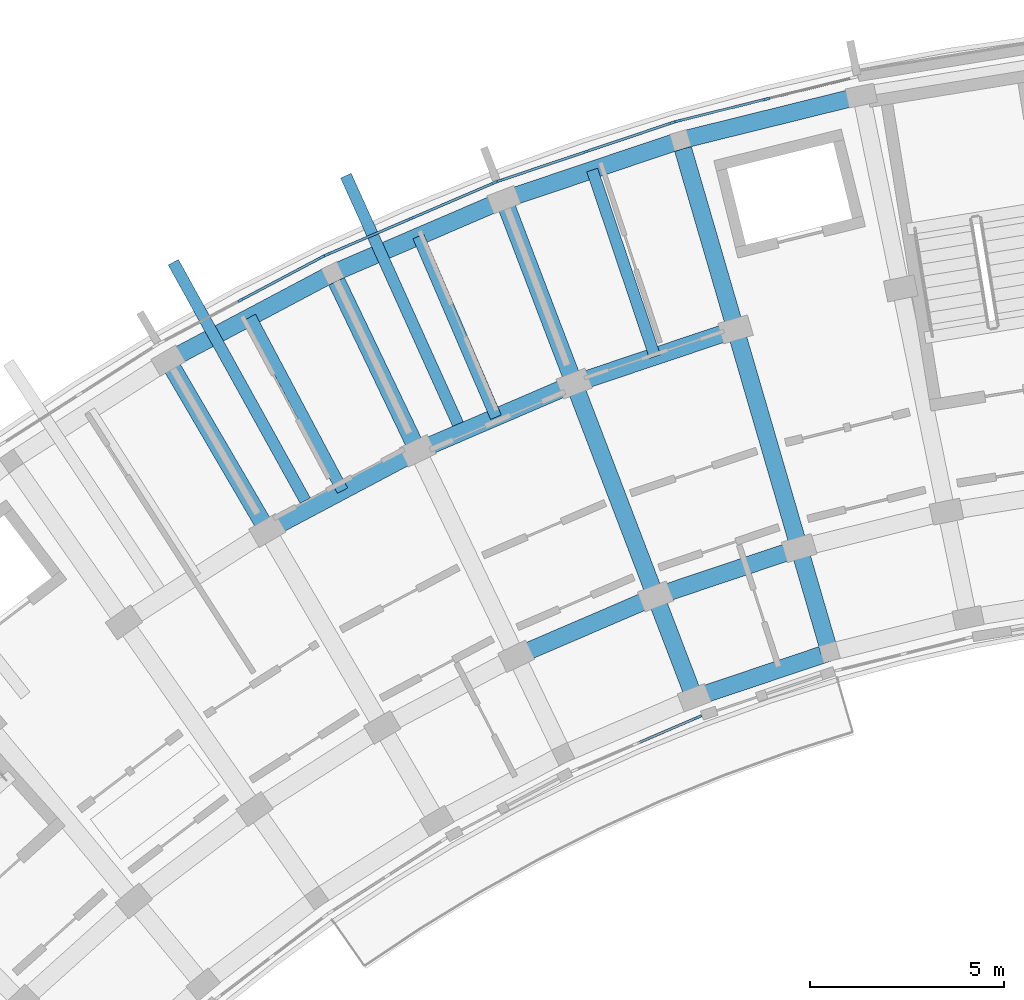
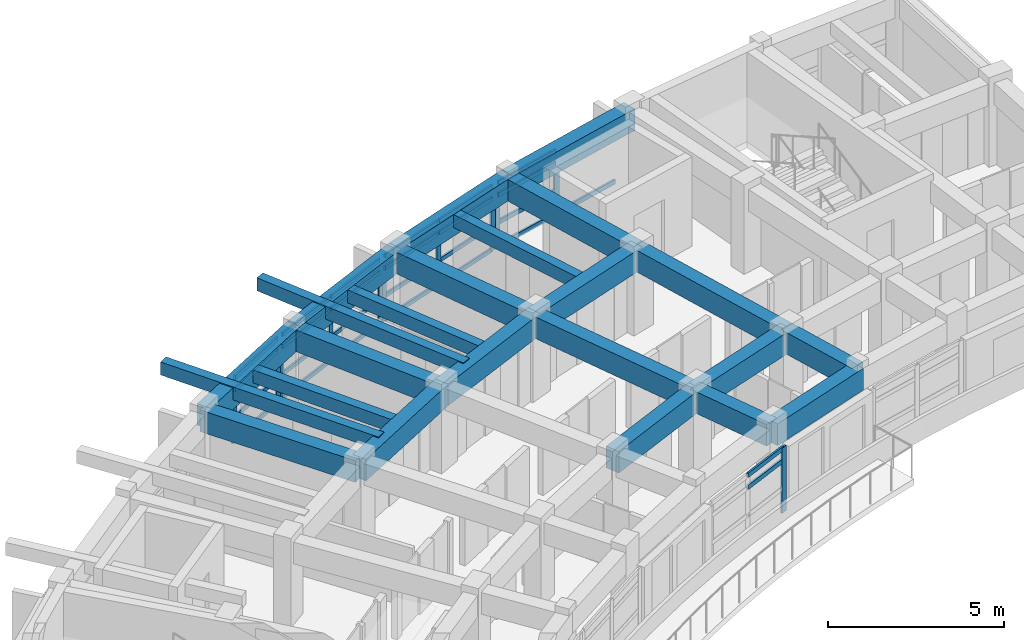
# One storey, part 5 of 56: 38 members, 23 beams, 5 elements without a shape of their own.
"""IFC4 building model written with IfcOpenShell, lengths in metres."""

from ifc_helpers import new_model, si_unit, direction, frame, origin, origin_2d, place, context, subcontext, project, spatial, rectangle, extrude, material, material_profile, profile_set, type_object, element, aggregate, save


model = new_model("IFC4")

# Units and contexts
model_context = context("Model", 3, precision=1e-05, world=origin(), true_north=direction((0.0, 1.0)))
body_context = subcontext(model_context, "Body", "Model", "MODEL_VIEW")
ifc_project = project(units=[si_unit("LENGTHUNIT", "METRE"), si_unit("AREAUNIT", "SQUARE_METRE"), si_unit("VOLUMEUNIT", "CUBIC_METRE"), si_unit("PLANEANGLEUNIT", "RADIAN"), si_unit("MASSUNIT", "GRAM", prefix="KILO")], contexts=[model_context])

# Site, building, storey
site_placement = place(None, origin())
site = spatial("IfcSite", under=ifc_project, at=site_placement, CompositionType="ELEMENT")
building_placement = place(site_placement, origin())
building = spatial("IfcBuilding", under=site, at=building_placement, Name="Zimvara Arc Housing Community", CompositionType="ELEMENT")
storey_placement = place(building_placement, frame((0.0, 0.0, 11.199951171875)))
storey = spatial("IfcBuildingStorey", under=building, at=storey_placement, Name="L03", CompositionType="ELEMENT", Elevation=11.199951171875)

# Beams
ifc_material_1 = material(Name="Concrete C40/50", Category="concrete")
ifc_material_profile_1 = material_profile(ifc_material_1, rectangle(XDim=0.300048828125, YDim=0.449951171875, at=origin_2d()), Name="RC 300x450")
ifc_profile_set_1 = profile_set([ifc_material_profile_1], Name="Concrete C40/50")
beam_type_1 = type_object("IfcBeamType", Name="BM-RC-300x450", PredefinedType="JOIST", material=ifc_profile_set_1)
beam_1_placement = place(storey_placement, frame((19.813232421875, 91.9892578125, 2.635009765625), z_axis=(-0.46853732736, 0.883443701019, 0.0), x_axis=(-0.883443701019, -0.46853732736, 0.0)))
element("IfcBeam", 1, at=beam_1_placement, inside=storey, type_object=beam_type_1, Name="bm:blkA:L03:joist:b4", PredefinedType="JOIST", context=body_context, shape_type="SweptSolid", body=[
    extrude(rectangle(XDim=0.300048828125, YDim=0.449951171875, at=origin_2d()), origin(), (0.0, 0.0, 1.0), 5.07568359375),
])
beam_2_placement = place(storey_placement, frame((23.77197265625, 93.885986328125, 2.635009765625), z_axis=(-0.394929109608, 0.918711596958, 0.0), x_axis=(-0.918711596958, -0.394929109608, 0.0)))
element("IfcBeam", 2, at=beam_2_placement, inside=storey, type_object=beam_type_1, Name="bm:blkA:L03:joist:b5", PredefinedType="JOIST", context=body_context, shape_type="SweptSolid", body=[
    extrude(rectangle(XDim=0.300048828125, YDim=0.449951171875, at=origin_2d()), origin(), (0.0, 0.0, 1.0), 5.075927734375),
])
beam_3_placement = place(storey_placement, frame((27.8720703125, 95.453369140625, 2.635009765625), z_axis=(-0.318607669836, 0.947886677152, 0.0), x_axis=(-0.947886677152, -0.318607669836, 0.0)))
element("IfcBeam", 3, at=beam_3_placement, inside=storey, type_object=beam_type_1, Name="bm:blkA:L03:joist:b6", PredefinedType="JOIST", context=body_context, shape_type="SweptSolid", body=[
    extrude(rectangle(XDim=0.300048828125, YDim=0.449951171875, at=origin_2d()), origin(), (0.0, 0.0, 1.0), 5.07568359375),
])
for number, where, z_axis, x_axis, name in (
    (4, (18.942138671875, 91.568359375, 2.6650390625), (-0.4843274379, 0.874886811477, 0.0), (-0.874886811477, -0.4843274379, 0.0), "bm:blkA:L03:cant_out:b4"),
    (5, (22.869384765625, 93.53759765625, 2.6650390625), (-0.411355676266, 0.91147490783, 0.0), (-0.91147490783, -0.411355676266, 0.0), "bm:blkA:L03:cant_out:b5"),
):
    element("IfcBeam", number, at=place(storey_placement, frame(where, z_axis=z_axis, x_axis=x_axis)), inside=storey, type_object=beam_type_1, Name=name, PredefinedType="JOIST", context=body_context, shape_type="SweptSolid", body=[
        extrude(rectangle(XDim=0.300048828125, YDim=0.449951171875, at=origin_2d()), origin(), (0.0, 0.0, 1.0), 7.219970703125),
    ])
ifc_material_2 = material(Name="Concrete C40/50", Category="concrete")
ifc_material_profile_2 = material_profile(ifc_material_2, rectangle(XDim=0.449951171875, YDim=0.75, at=origin_2d()), Name="RC 450x750")
ifc_profile_set_2 = profile_set([ifc_material_profile_2], Name="Concrete C40/50")
beam_type_2 = type_object("IfcBeamType", Name="BM-RC-450x750", PredefinedType="BEAM", material=ifc_profile_set_2)
beam_4_placement = place(storey_placement, frame((28.88916015625, 86.645751953125, 2.485107421875), z_axis=(0.94789181932, 0.31859237101, 0.0), x_axis=(-0.31859237101, 0.94789181932, 0.0)))
element("IfcBeam", 6, at=beam_4_placement, inside=storey, type_object=beam_type_2, Name="bm:blkA:L03:chord:r0:b6", PredefinedType="BEAM", context=body_context, shape_type="SweptSolid", body=[
    extrude(rectangle(XDim=0.449951171875, YDim=0.75, at=origin_2d()), origin(), (0.0, 0.0, 1.0), 3.684326171875),
])
for number, where, z_axis, x_axis, name in (
    (7, (24.29443359375, 87.7158203125, 2.485107421875), (0.91873144242, 0.394882940514, 0.0), (-0.394882940514, 0.91873144242, 0.0), "bm:blkA:L03:chord:r1:b5"),
    (8, (27.889404296875, 89.260986328125, 2.485107421875), (0.947881689069, 0.31862250945, 0.0), (-0.31862250945, 0.947881689069, 0.0), "bm:blkA:L03:chord:r1:b6"),
):
    element("IfcBeam", number, at=place(storey_placement, frame(where, z_axis=z_axis, x_axis=x_axis)), inside=storey, type_object=beam_type_2, Name=name, PredefinedType="BEAM", context=body_context, shape_type="SweptSolid", body=[
        extrude(rectangle(XDim=0.449951171875, YDim=0.75, at=origin_2d()), origin(), (0.0, 0.0, 1.0), 3.9130859375),
    ])
for number, where, z_axis, x_axis, name in (
    (9, (17.87255859375, 90.960205078125, 2.485107421875), (0.883456526058, 0.468513144496, 0.0), (-0.468513144496, 0.883456526058, 0.0), "bm:blkA:L03:chord:r2:b4"),
    (10, (21.75390625, 93.0185546875, 2.485107421875), (0.918724840088, 0.394898301093, 0.0), (-0.394898301093, 0.918724840088, 0.0), "bm:blkA:L03:chord:r2:b5"),
):
    element("IfcBeam", number, at=place(storey_placement, frame(where, z_axis=z_axis, x_axis=x_axis)), inside=storey, type_object=beam_type_2, Name=name, PredefinedType="BEAM", context=body_context, shape_type="SweptSolid", body=[
        extrude(rectangle(XDim=0.449951171875, YDim=0.75, at=origin_2d()), origin(), (0.0, 0.0, 1.0), 4.393310546875),
    ])
beam_5_placement = place(storey_placement, frame((25.7900390625, 94.75341796875, 2.485107421875), z_axis=(0.947868796036, 0.318660862832, 0.0), x_axis=(-0.318660862832, 0.947868796036, 0.0)))
element("IfcBeam", 11, at=beam_5_placement, inside=storey, type_object=beam_type_2, Name="bm:blkA:L03:chord:r2:b6", PredefinedType="BEAM", context=body_context, shape_type="SweptSolid", body=[
    extrude(rectangle(XDim=0.449951171875, YDim=0.75, at=origin_2d()), origin(), (0.0, 0.0, 1.0), 4.39306640625),
])
beam_6_placement = place(storey_placement, frame((15.311279296875, 95.34716796875, 2.485107421875), z_axis=(0.883445542299, 0.468533855546, 0.0), x_axis=(-0.468533855546, 0.883445542299, 0.0)))
element("IfcBeam", 12, at=beam_6_placement, inside=storey, type_object=beam_type_2, Name="bm:blkA:L03:chord:r3:b4", PredefinedType="BEAM", context=body_context, shape_type="SweptSolid", body=[
    extrude(rectangle(XDim=0.449951171875, YDim=0.75, at=origin_2d()), origin(), (0.0, 0.0, 1.0), 4.807861328125),
])
beam_7_placement = place(storey_placement, frame((19.558837890625, 97.599853515625, 2.485107421875), z_axis=(0.918724276228, 0.394899612901, 0.0), x_axis=(-0.394899612901, 0.918724276228, 0.0)))
element("IfcBeam", 13, at=beam_7_placement, inside=storey, type_object=beam_type_2, Name="bm:blkA:L03:chord:r3:b5", PredefinedType="BEAM", context=body_context, shape_type="SweptSolid", body=[
    extrude(rectangle(XDim=0.449951171875, YDim=0.75, at=origin_2d()), origin(), (0.0, 0.0, 1.0), 4.80810546875),
])
beam_8_placement = place(storey_placement, frame((23.97607421875, 99.49853515625, 2.485107421875), z_axis=(0.947877948153, 0.31863363822, 0.0), x_axis=(-0.31863363822, 0.947877948153, 0.0)))
element("IfcBeam", 14, at=beam_8_placement, inside=storey, type_object=beam_type_2, Name="bm:blkA:L03:chord:r3:b6", PredefinedType="BEAM", context=body_context, shape_type="SweptSolid", body=[
    extrude(rectangle(XDim=0.449951171875, YDim=0.75, at=origin_2d()), origin(), (0.0, 0.0, 1.0), 4.807861328125),
])
beam_9_placement = place(storey_placement, frame((28.533447265625, 101.030517578125, 2.485107421875), z_axis=(0.970716235341, 0.240229037474, 0.0), x_axis=(-0.240229037474, 0.970716235341, 0.0)))
element("IfcBeam", 15, at=beam_9_placement, inside=storey, type_object=beam_type_2, Name="bm:blkA:L03:chord:r3:b7", PredefinedType="BEAM", context=body_context, shape_type="SweptSolid", body=[
    extrude(rectangle(XDim=0.449951171875, YDim=0.75, at=origin_2d()), origin(), (0.0, 0.0, 1.0), 4.80810546875),
])
beam_10_placement = place(storey_placement, frame((17.87255859375, 90.960205078125, 2.485107421875), z_axis=(-0.504196701544, 0.863588840915, 0.0), x_axis=(-0.863588840915, -0.504196701544, 0.0)))
element("IfcBeam", 16, at=beam_10_placement, inside=storey, type_object=beam_type_2, Name="bm:blkA:L03:rad:b4:r23", PredefinedType="BEAM", context=body_context, shape_type="SweptSolid", body=[
    extrude(rectangle(XDim=0.449951171875, YDim=0.75, at=origin_2d()), origin(), (0.0, 0.0, 1.0), 5.079833984375),
])
beam_11_placement = place(storey_placement, frame((21.75390625, 93.0185546875, 2.485107421875), z_axis=(-0.432098194978, 0.901826563091, 0.0), x_axis=(-0.901826563091, -0.432098194978, 0.0)))
element("IfcBeam", 17, at=beam_11_placement, inside=storey, type_object=beam_type_2, Name="bm:blkA:L03:rad:b5:r23", PredefinedType="BEAM", context=body_context, shape_type="SweptSolid", body=[
    extrude(rectangle(XDim=0.449951171875, YDim=0.75, at=origin_2d()), origin(), (0.0, 0.0, 1.0), 5.080078125),
])
beam_12_placement = place(storey_placement, frame((28.88916015625, 86.645751953125, 2.485107421875), z_axis=(-0.357079289134, 0.934074076972, 0.0), x_axis=(-0.934074076972, -0.357079289134, 0.0)))
element("IfcBeam", 18, at=beam_12_placement, inside=storey, type_object=beam_type_2, Name="bm:blkA:L03:rad:b6:r01", PredefinedType="BEAM", context=body_context, shape_type="SweptSolid", body=[
    extrude(rectangle(XDim=0.449951171875, YDim=0.75, at=origin_2d()), origin(), (0.0, 0.0, 1.0), 2.7998046875),
])
beam_13_placement = place(storey_placement, frame((27.889404296875, 89.260986328125, 2.485107421875), z_axis=(-0.357036247742, 0.934090529766, 0.0), x_axis=(-0.934090529766, -0.357036247742, 0.0)))
element("IfcBeam", 19, at=beam_13_placement, inside=storey, type_object=beam_type_2, Name="bm:blkA:L03:rad:b6:r12", PredefinedType="BEAM", context=body_context, shape_type="SweptSolid", body=[
    extrude(rectangle(XDim=0.449951171875, YDim=0.75, at=origin_2d()), origin(), (0.0, 0.0, 1.0), 5.8798828125),
])
beam_14_placement = place(storey_placement, frame((25.7900390625, 94.75341796875, 2.485107421875), z_axis=(-0.357078271386, 0.934074466038, 0.0), x_axis=(-0.934074466038, -0.357078271386, 0.0)))
element("IfcBeam", 20, at=beam_14_placement, inside=storey, type_object=beam_type_2, Name="bm:blkA:L03:rad:b6:r23", PredefinedType="BEAM", context=body_context, shape_type="SweptSolid", body=[
    extrude(rectangle(XDim=0.449951171875, YDim=0.75, at=origin_2d()), origin(), (0.0, 0.0, 1.0), 5.080078125),
])
beam_15_placement = place(storey_placement, frame((32.381591796875, 87.819580078125, 2.485107421875), z_axis=(-0.279635015525, 0.960106378529, 0.0), x_axis=(-0.960106378529, -0.279635015525, 0.0)))
element("IfcBeam", 21, at=beam_15_placement, inside=storey, type_object=beam_type_2, Name="bm:blkA:L03:rad:b7:r01", PredefinedType="BEAM", context=body_context, shape_type="SweptSolid", body=[
    extrude(rectangle(XDim=0.449951171875, YDim=0.75, at=origin_2d()), origin(), (0.0, 0.0, 1.0), 2.800048828125),
])
beam_16_placement = place(storey_placement, frame((31.5986328125, 90.5078125, 2.485107421875), z_axis=(-0.27967473749, 0.960094808449, 0.0), x_axis=(-0.960094808449, -0.27967473749, 0.0)))
element("IfcBeam", 22, at=beam_16_placement, inside=storey, type_object=beam_type_2, Name="bm:blkA:L03:rad:b7:r12", PredefinedType="BEAM", context=body_context, shape_type="SweptSolid", body=[
    extrude(rectangle(XDim=0.449951171875, YDim=0.75, at=origin_2d()), origin(), (0.0, 0.0, 1.0), 5.880126953125),
])
beam_17_placement = place(storey_placement, frame((29.9541015625, 96.1533203125, 2.485107421875), z_axis=(-0.279662254096, 0.960098444762, 0.0), x_axis=(-0.960098444762, -0.279662254096, 0.0)))
element("IfcBeam", 23, at=beam_17_placement, inside=storey, type_object=beam_type_2, Name="bm:blkA:L03:rad:b7:r23", PredefinedType="BEAM", context=body_context, shape_type="SweptSolid", body=[
    extrude(rectangle(XDim=0.449951171875, YDim=0.75, at=origin_2d()), origin(), (0.0, 0.0, 1.0), 5.079833984375),
])

# Curtain wall, members
ifc_material_3 = material(Name="Anodised Aluminium AW-6063", Category="aluminium")
curtain_wall_type_1 = type_object("IfcCurtainWallType", Name="CW-SYS-06", PredefinedType="USERDEFINED", material=ifc_material_3)
curtain_wall_1_placement = place(storey_placement, origin())
curtain_wall_1 = element("IfcCurtainWall", 24, at=curtain_wall_1_placement, inside=storey, type_object=curtain_wall_type_1, Name="cw:blkA:L03:out:b5", ObjectType="CURTAIN WALL", PredefinedType="USERDEFINED")
ifc_material_4 = material(Name="Anodised Aluminium AW-6063", Category="aluminium")
ifc_material_profile_3 = material_profile(ifc_material_4, rectangle(XDim=0.06494140625, YDim=0.179931640625, at=origin_2d()), Name="ALU 65x180")
ifc_profile_set_3 = profile_set([ifc_material_profile_3], Name="Anodised Aluminium AW-6063")
member_type_1 = type_object("IfcMemberType", Name="CWM-65x150", PredefinedType="MULLION", material=ifc_profile_set_3)
member_1_placement = place(storey_placement, frame((19.427734375, 98.08740234375, 0.0), z_axis=(0.0, 0.0, 1.0), x_axis=(-0.394904211998, 0.918722299363, 0.0)))
member_1 = element("IfcMember", 25, at=member_1_placement, type_object=member_type_1, Name="CW06 mullion 1", PredefinedType="MULLION", context=body_context, shape_type="SweptSolid", body=[
    extrude(rectangle(XDim=0.06494140625, YDim=0.179931640625, at=origin_2d()), origin(), (0.0, 0.0, 1.0), 2.25),
])
member_2_placement = place(storey_placement, frame((21.570068359375, 99.00830078125, 0.0), z_axis=(0.0, 0.0, 1.0), x_axis=(-0.394904211998, 0.918722299363, 0.0)))
member_2 = element("IfcMember", 26, at=member_2_placement, type_object=member_type_1, Name="CW06 mullion 2", PredefinedType="MULLION", context=body_context, shape_type="SweptSolid", body=[
    extrude(rectangle(XDim=0.06494140625, YDim=0.179931640625, at=origin_2d()), origin(), (0.0, 0.0, 1.0), 2.25),
])
member_3_placement = place(storey_placement, frame((23.712646484375, 99.92919921875, 0.0), z_axis=(0.0, 0.0, 1.0), x_axis=(-0.394904211998, 0.918722299363, 0.0)))
member_3 = element("IfcMember", 27, at=member_3_placement, type_object=member_type_1, Name="CW06 mullion 3", PredefinedType="MULLION", context=body_context, shape_type="SweptSolid", body=[
    extrude(rectangle(XDim=0.06494140625, YDim=0.179931640625, at=origin_2d()), origin(), (0.0, 0.0, 1.0), 2.25),
])

ifc_material_5 = material(Name="Anodised Aluminium AW-6063", Category="aluminium")
curtain_wall_type_2 = type_object("IfcCurtainWallType", Name="CW-SYS-08", PredefinedType="USERDEFINED", material=ifc_material_5)
curtain_wall_2_placement = place(storey_placement, origin())
curtain_wall_2 = element("IfcCurtainWall", 28, at=curtain_wall_2_placement, inside=storey, type_object=curtain_wall_type_2, Name="cw:blkA:L03:out:b6", ObjectType="CURTAIN WALL", PredefinedType="USERDEFINED")
member_4_placement = place(storey_placement, frame((23.88525390625, 99.9951171875, 0.0), z_axis=(0.0, 0.0, 1.0), x_axis=(-0.318628583921, 0.947879647164, 0.0)))
member_4 = element("IfcMember", 29, at=member_4_placement, type_object=member_type_1, Name="CW08 mullion 1", PredefinedType="MULLION", context=body_context, shape_type="SweptSolid", body=[
    extrude(rectangle(XDim=0.06494140625, YDim=0.179931640625, at=origin_2d()), origin(), (0.0, 0.0, 1.0), 2.25),
])
member_5_placement = place(storey_placement, frame((26.095703125, 100.73828125, 0.0), z_axis=(0.0, 0.0, 1.0), x_axis=(-0.318628583921, 0.947879647164, 0.0)))
member_5 = element("IfcMember", 30, at=member_5_placement, type_object=member_type_1, Name="CW08 mullion 2", PredefinedType="MULLION", context=body_context, shape_type="SweptSolid", body=[
    extrude(rectangle(XDim=0.06494140625, YDim=0.179931640625, at=origin_2d()), origin(), (0.0, 0.0, 1.0), 2.25),
])
member_6_placement = place(storey_placement, frame((28.305908203125, 101.481201171875, 0.0), z_axis=(0.0, 0.0, 1.0), x_axis=(-0.318628583921, 0.947879647164, 0.0)))
member_6 = element("IfcMember", 31, at=member_6_placement, type_object=member_type_1, Name="CW08 mullion 3", PredefinedType="MULLION", context=body_context, shape_type="SweptSolid", body=[
    extrude(rectangle(XDim=0.06494140625, YDim=0.179931640625, at=origin_2d()), origin(), (0.0, 0.0, 1.0), 2.25),
])

ifc_material_6 = material(Name="Anodised Aluminium AW-6063", Category="aluminium")
curtain_wall_type_3 = type_object("IfcCurtainWallType", Name="CW-SYS-05", PredefinedType="USERDEFINED", material=ifc_material_6)
curtain_wall_3_placement = place(storey_placement, origin())
curtain_wall_3 = element("IfcCurtainWall", 32, at=curtain_wall_3_placement, inside=storey, type_object=curtain_wall_type_3, Name="cw:blkA:L03:out:b4", ObjectType="CURTAIN WALL", PredefinedType="USERDEFINED")
ifc_material_7 = material(Name="Anodised Aluminium AW-6063", Category="aluminium")
ifc_material_profile_4 = material_profile(ifc_material_7, rectangle(XDim=0.06494140625, YDim=0.195068359375, at=origin_2d()), Name="ALU 65x195")
ifc_profile_set_4 = profile_set([ifc_material_profile_4], Name="Anodised Aluminium AW-6063")
member_type_2 = type_object("IfcMemberType", Name="CWM-65x180", PredefinedType="MULLION", material=ifc_profile_set_4)
member_7_placement = place(storey_placement, frame((17.200927734375, 96.914794921875, 0.0), z_axis=(0.0, 0.0, 1.0), x_axis=(-0.468546917761, 0.883438614651, 0.0)))
member_7 = element("IfcMember", 33, at=member_7_placement, type_object=member_type_2, Name="CW05 mullion 2", PredefinedType="MULLION", context=body_context, shape_type="SweptSolid", body=[
    extrude(rectangle(XDim=0.06494140625, YDim=0.195068359375, at=origin_2d()), origin(), (0.0, 0.0, 1.0), 2.25),
])
member_8_placement = place(storey_placement, frame((19.260986328125, 98.007568359375, 0.0), z_axis=(0.0, 0.0, 1.0), x_axis=(-0.468546917761, 0.883438614651, 0.0)))
member_8 = element("IfcMember", 34, at=member_8_placement, type_object=member_type_2, Name="CW05 mullion 3", PredefinedType="MULLION", context=body_context, shape_type="SweptSolid", body=[
    extrude(rectangle(XDim=0.06494140625, YDim=0.195068359375, at=origin_2d()), origin(), (0.0, 0.0, 1.0), 2.25),
])

# Curtain wall, member
ifc_material_8 = material(Name="Anodised Aluminium AW-6063", Category="aluminium")
curtain_wall_type_4 = type_object("IfcCurtainWallType", Name="CW-SYS-07", PredefinedType="USERDEFINED", material=ifc_material_8)
curtain_wall_4_placement = place(storey_placement, origin())
curtain_wall_4 = element("IfcCurtainWall", 35, at=curtain_wall_4_placement, inside=storey, type_object=curtain_wall_type_4, Name="cw:blkA:L03:in:b5", ObjectType="CURTAIN WALL", PredefinedType="USERDEFINED")
member_9_placement = place(storey_placement, frame((28.98291015625, 86.14208984375, 0.0), z_axis=(0.0, 0.0, 1.0), x_axis=(-0.394904493375, 0.918722178415, 0.0)))
member_9 = element("IfcMember", 36, at=member_9_placement, type_object=member_type_2, Name="CW07 mullion 3", PredefinedType="MULLION", context=body_context, shape_type="SweptSolid", body=[
    extrude(rectangle(XDim=0.06494140625, YDim=0.195068359375, at=origin_2d()), origin(), (0.0, 0.0, 1.0), 2.25),
])

# Curtain wall, members
ifc_material_9 = material(Name="Anodised Aluminium AW-6063", Category="aluminium")
curtain_wall_type_5 = type_object("IfcCurtainWallType", Name="CW-SYS-01", PredefinedType="USERDEFINED", material=ifc_material_9)
curtain_wall_5_placement = place(storey_placement, origin())
curtain_wall_5 = element("IfcCurtainWall", 37, at=curtain_wall_5_placement, inside=storey, type_object=curtain_wall_type_5, Name="cw:blkA:L03:out:b7", ObjectType="CURTAIN WALL", PredefinedType="USERDEFINED")
member_10_placement = place(storey_placement, frame((28.4833984375, 101.532958984375, 0.0), z_axis=(0.0, 0.0, 1.0), x_axis=(-0.240229711131, 0.970716068627, 0.0)))
member_10 = element("IfcMember", 38, at=member_10_placement, type_object=member_type_2, Name="CW01 mullion 1", PredefinedType="MULLION", context=body_context, shape_type="SweptSolid", body=[
    extrude(rectangle(XDim=0.06494140625, YDim=0.195068359375, at=origin_2d()), origin(), (0.0, 0.0, 1.0), 2.25),
])
member_11_placement = place(storey_placement, frame((30.7470703125, 102.093017578125, 0.0), z_axis=(0.0, 0.0, 1.0), x_axis=(-0.240229711131, 0.970716068627, 0.0)))
member_11 = element("IfcMember", 39, at=member_11_placement, type_object=member_type_2, Name="CW01 mullion 2", PredefinedType="MULLION", context=body_context, shape_type="SweptSolid", body=[
    extrude(rectangle(XDim=0.06494140625, YDim=0.195068359375, at=origin_2d()), origin(), (0.0, 0.0, 1.0), 2.25),
])

# Member
ifc_material_10 = material(Name="Anodised Aluminium AW-6063", Category="aluminium")
ifc_material_profile_5 = material_profile(ifc_material_10, rectangle(XDim=0.06494140625, YDim=0.139892578125, at=origin_2d()), Name="ALU 65x140")
ifc_profile_set_5 = profile_set([ifc_material_profile_5], Name="Anodised Aluminium AW-6063")
member_type_3 = type_object("IfcMemberType", Name="CWT-65x120", PredefinedType="USERDEFINED", material=ifc_profile_set_5)
member_12_placement = place(storey_placement, frame((19.45751953125, 98.10009765625, 0.032470703125), z_axis=(0.918721157939, 0.394906867444, 0.0), x_axis=(-0.394906867444, 0.918721157939, 0.0)))
member_12 = element("IfcMember", 40, at=member_12_placement, type_object=member_type_3, Name="CW06 transom 1.1", ObjectType="TRANSOM", PredefinedType="USERDEFINED", context=body_context, shape_type="SweptSolid", body=[
    extrude(rectangle(XDim=0.06494140625, YDim=0.139892578125, at=origin_2d()), origin(), (0.0, 0.0, 1.0), 2.26708984375),
])

member_13_placement = place(storey_placement, frame((19.45751953125, 98.10009765625, 0.85009765625), z_axis=(0.918721157939, 0.394906867444, 0.0), x_axis=(-0.394906867444, 0.918721157939, 0.0)))
member_13 = element("IfcMember", 41, at=member_13_placement, type_object=member_type_3, Name="CW06 transom 1.2", ObjectType="TRANSOM", PredefinedType="USERDEFINED", context=body_context, shape_type="SweptSolid", body=[
    extrude(rectangle(XDim=0.06494140625, YDim=0.139892578125, at=origin_2d()), origin(), (0.0, 0.0, 1.0), 2.26708984375),
])

member_14_placement = place(storey_placement, frame((19.45751953125, 98.10009765625, 1.800048828125), z_axis=(0.918721157939, 0.394906867444, 0.0), x_axis=(-0.394906867444, 0.918721157939, 0.0)))
member_14 = element("IfcMember", 42, at=member_14_placement, type_object=member_type_3, Name="CW06 transom 1.3", ObjectType="TRANSOM", PredefinedType="USERDEFINED", context=body_context, shape_type="SweptSolid", body=[
    extrude(rectangle(XDim=0.06494140625, YDim=0.139892578125, at=origin_2d()), origin(), (0.0, 0.0, 1.0), 2.26708984375),
])

member_15_placement = place(storey_placement, frame((19.45751953125, 98.10009765625, 2.217529296875), z_axis=(0.918721157939, 0.394906867444, 0.0), x_axis=(-0.394906867444, 0.918721157939, 0.0)))
member_15 = element("IfcMember", 43, at=member_15_placement, type_object=member_type_3, Name="CW06 transom 1.4", ObjectType="TRANSOM", PredefinedType="USERDEFINED", context=body_context, shape_type="SweptSolid", body=[
    extrude(rectangle(XDim=0.06494140625, YDim=0.139892578125, at=origin_2d()), origin(), (0.0, 0.0, 1.0), 2.26708984375),
])

member_16_placement = place(storey_placement, frame((21.60009765625, 99.02099609375, 0.032470703125), z_axis=(0.918704360712, 0.394945942641, 0.0), x_axis=(-0.394945942641, 0.918704360712, 0.0)))
member_16 = element("IfcMember", 44, at=member_16_placement, type_object=member_type_3, Name="CW06 transom 2.1", ObjectType="TRANSOM", PredefinedType="USERDEFINED", context=body_context, shape_type="SweptSolid", body=[
    extrude(rectangle(XDim=0.06494140625, YDim=0.139892578125, at=origin_2d()), origin(), (0.0, 0.0, 1.0), 2.266845703125),
])

member_17_placement = place(storey_placement, frame((21.60009765625, 99.02099609375, 0.85009765625), z_axis=(0.918704360712, 0.394945942641, 0.0), x_axis=(-0.394945942641, 0.918704360712, 0.0)))
member_17 = element("IfcMember", 45, at=member_17_placement, type_object=member_type_3, Name="CW06 transom 2.2", ObjectType="TRANSOM", PredefinedType="USERDEFINED", context=body_context, shape_type="SweptSolid", body=[
    extrude(rectangle(XDim=0.06494140625, YDim=0.139892578125, at=origin_2d()), origin(), (0.0, 0.0, 1.0), 2.266845703125),
])

member_18_placement = place(storey_placement, frame((21.60009765625, 99.02099609375, 1.800048828125), z_axis=(0.918704360712, 0.394945942641, 0.0), x_axis=(-0.394945942641, 0.918704360712, 0.0)))
member_18 = element("IfcMember", 46, at=member_18_placement, type_object=member_type_3, Name="CW06 transom 2.3", ObjectType="TRANSOM", PredefinedType="USERDEFINED", context=body_context, shape_type="SweptSolid", body=[
    extrude(rectangle(XDim=0.06494140625, YDim=0.139892578125, at=origin_2d()), origin(), (0.0, 0.0, 1.0), 2.266845703125),
])

member_19_placement = place(storey_placement, frame((21.60009765625, 99.02099609375, 2.217529296875), z_axis=(0.918704360712, 0.394945942641, 0.0), x_axis=(-0.394945942641, 0.918704360712, 0.0)))
member_19 = element("IfcMember", 47, at=member_19_placement, type_object=member_type_3, Name="CW06 transom 2.4", ObjectType="TRANSOM", PredefinedType="USERDEFINED", context=body_context, shape_type="SweptSolid", body=[
    extrude(rectangle(XDim=0.06494140625, YDim=0.139892578125, at=origin_2d()), origin(), (0.0, 0.0, 1.0), 2.266845703125),
])

aggregate(curtain_wall_1, [member_1, member_2, member_3, member_12, member_13, member_14, member_15, member_16, member_17, member_18, member_19])

member_20_placement = place(storey_placement, frame((23.916015625, 100.00537109375, 0.032470703125), z_axis=(0.947861605379, 0.318682250916, 0.0), x_axis=(-0.318682250916, 0.947861605379, 0.0)))
member_20 = element("IfcMember", 48, at=member_20_placement, type_object=member_type_3, Name="CW08 transom 1.1", ObjectType="TRANSOM", PredefinedType="USERDEFINED", context=body_context, shape_type="SweptSolid", body=[
    extrude(rectangle(XDim=0.06494140625, YDim=0.139892578125, at=origin_2d()), origin(), (0.0, 0.0, 1.0), 2.266845703125),
])

member_21_placement = place(storey_placement, frame((23.916015625, 100.00537109375, 0.85009765625), z_axis=(0.947861605379, 0.318682250916, 0.0), x_axis=(-0.318682250916, 0.947861605379, 0.0)))
member_21 = element("IfcMember", 49, at=member_21_placement, type_object=member_type_3, Name="CW08 transom 1.2", ObjectType="TRANSOM", PredefinedType="USERDEFINED", context=body_context, shape_type="SweptSolid", body=[
    extrude(rectangle(XDim=0.06494140625, YDim=0.139892578125, at=origin_2d()), origin(), (0.0, 0.0, 1.0), 2.266845703125),
])

member_22_placement = place(storey_placement, frame((23.916015625, 100.00537109375, 1.800048828125), z_axis=(0.947861605379, 0.318682250916, 0.0), x_axis=(-0.318682250916, 0.947861605379, 0.0)))
member_22 = element("IfcMember", 50, at=member_22_placement, type_object=member_type_3, Name="CW08 transom 1.3", ObjectType="TRANSOM", PredefinedType="USERDEFINED", context=body_context, shape_type="SweptSolid", body=[
    extrude(rectangle(XDim=0.06494140625, YDim=0.139892578125, at=origin_2d()), origin(), (0.0, 0.0, 1.0), 2.266845703125),
])

member_23_placement = place(storey_placement, frame((23.916015625, 100.00537109375, 2.217529296875), z_axis=(0.947861605379, 0.318682250916, 0.0), x_axis=(-0.318682250916, 0.947861605379, 0.0)))
member_23 = element("IfcMember", 51, at=member_23_placement, type_object=member_type_3, Name="CW08 transom 1.4", ObjectType="TRANSOM", PredefinedType="USERDEFINED", context=body_context, shape_type="SweptSolid", body=[
    extrude(rectangle(XDim=0.06494140625, YDim=0.139892578125, at=origin_2d()), origin(), (0.0, 0.0, 1.0), 2.266845703125),
])

member_24_placement = place(storey_placement, frame((26.12646484375, 100.74853515625, 0.032470703125), z_axis=(0.947861605379, 0.318682250916, 0.0), x_axis=(-0.318682250916, 0.947861605379, 0.0)))
member_24 = element("IfcMember", 52, at=member_24_placement, type_object=member_type_3, Name="CW08 transom 2.1", ObjectType="TRANSOM", PredefinedType="USERDEFINED", context=body_context, shape_type="SweptSolid", body=[
    extrude(rectangle(XDim=0.06494140625, YDim=0.139892578125, at=origin_2d()), origin(), (0.0, 0.0, 1.0), 2.266845703125),
])

member_25_placement = place(storey_placement, frame((26.12646484375, 100.74853515625, 0.85009765625), z_axis=(0.947861605379, 0.318682250916, 0.0), x_axis=(-0.318682250916, 0.947861605379, 0.0)))
member_25 = element("IfcMember", 53, at=member_25_placement, type_object=member_type_3, Name="CW08 transom 2.2", ObjectType="TRANSOM", PredefinedType="USERDEFINED", context=body_context, shape_type="SweptSolid", body=[
    extrude(rectangle(XDim=0.06494140625, YDim=0.139892578125, at=origin_2d()), origin(), (0.0, 0.0, 1.0), 2.266845703125),
])

member_26_placement = place(storey_placement, frame((26.12646484375, 100.74853515625, 1.800048828125), z_axis=(0.947861605379, 0.318682250916, 0.0), x_axis=(-0.318682250916, 0.947861605379, 0.0)))
member_26 = element("IfcMember", 54, at=member_26_placement, type_object=member_type_3, Name="CW08 transom 2.3", ObjectType="TRANSOM", PredefinedType="USERDEFINED", context=body_context, shape_type="SweptSolid", body=[
    extrude(rectangle(XDim=0.06494140625, YDim=0.139892578125, at=origin_2d()), origin(), (0.0, 0.0, 1.0), 2.266845703125),
])

member_27_placement = place(storey_placement, frame((26.12646484375, 100.74853515625, 2.217529296875), z_axis=(0.947861605379, 0.318682250916, 0.0), x_axis=(-0.318682250916, 0.947861605379, 0.0)))
member_27 = element("IfcMember", 55, at=member_27_placement, type_object=member_type_3, Name="CW08 transom 2.4", ObjectType="TRANSOM", PredefinedType="USERDEFINED", context=body_context, shape_type="SweptSolid", body=[
    extrude(rectangle(XDim=0.06494140625, YDim=0.139892578125, at=origin_2d()), origin(), (0.0, 0.0, 1.0), 2.266845703125),
])

aggregate(curtain_wall_2, [member_4, member_5, member_6, member_20, member_21, member_22, member_23, member_24, member_25, member_26, member_27])

ifc_material_11 = material(Name="Anodised Aluminium AW-6063", Category="aluminium")
ifc_material_profile_6 = material_profile(ifc_material_11, rectangle(XDim=0.06494140625, YDim=0.155029296875, at=origin_2d()), Name="ALU 65x155")
ifc_profile_set_6 = profile_set([ifc_material_profile_6], Name="Anodised Aluminium AW-6063")
member_type_4 = type_object("IfcMemberType", Name="CWT-65x140", PredefinedType="USERDEFINED", material=ifc_profile_set_6)
member_28_placement = place(storey_placement, frame((17.2294921875, 96.93017578125, 0.032470703125), z_axis=(0.883489114766, 0.468451688107, 0.0), x_axis=(-0.468451688107, 0.883489114766, 0.0)))
member_28 = element("IfcMember", 56, at=member_28_placement, type_object=member_type_4, Name="CW05 transom 2.1", ObjectType="TRANSOM", PredefinedType="USERDEFINED", context=body_context, shape_type="SweptSolid", body=[
    extrude(rectangle(XDim=0.06494140625, YDim=0.155029296875, at=origin_2d()), origin(), (0.0, 0.0, 1.0), 2.26708984375),
])

member_29_placement = place(storey_placement, frame((17.2294921875, 96.93017578125, 0.85009765625), z_axis=(0.883489114766, 0.468451688107, 0.0), x_axis=(-0.468451688107, 0.883489114766, 0.0)))
member_29 = element("IfcMember", 57, at=member_29_placement, type_object=member_type_4, Name="CW05 transom 2.2", ObjectType="TRANSOM", PredefinedType="USERDEFINED", context=body_context, shape_type="SweptSolid", body=[
    extrude(rectangle(XDim=0.06494140625, YDim=0.155029296875, at=origin_2d()), origin(), (0.0, 0.0, 1.0), 2.26708984375),
])

member_30_placement = place(storey_placement, frame((17.2294921875, 96.93017578125, 1.800048828125), z_axis=(0.883489114766, 0.468451688107, 0.0), x_axis=(-0.468451688107, 0.883489114766, 0.0)))
member_30 = element("IfcMember", 58, at=member_30_placement, type_object=member_type_4, Name="CW05 transom 2.3", ObjectType="TRANSOM", PredefinedType="USERDEFINED", context=body_context, shape_type="SweptSolid", body=[
    extrude(rectangle(XDim=0.06494140625, YDim=0.155029296875, at=origin_2d()), origin(), (0.0, 0.0, 1.0), 2.26708984375),
])

member_31_placement = place(storey_placement, frame((17.2294921875, 96.93017578125, 2.217529296875), z_axis=(0.883489114766, 0.468451688107, 0.0), x_axis=(-0.468451688107, 0.883489114766, 0.0)))
member_31 = element("IfcMember", 59, at=member_31_placement, type_object=member_type_4, Name="CW05 transom 2.4", ObjectType="TRANSOM", PredefinedType="USERDEFINED", context=body_context, shape_type="SweptSolid", body=[
    extrude(rectangle(XDim=0.06494140625, YDim=0.155029296875, at=origin_2d()), origin(), (0.0, 0.0, 1.0), 2.26708984375),
])

aggregate(curtain_wall_3, [member_7, member_8, member_28, member_29, member_30, member_31])

member_32_placement = place(storey_placement, frame((27.423828125, 85.471923828125, 1.800048828125), z_axis=(0.918673978315, 0.395016609229, 0.0), x_axis=(-0.395016609229, 0.918673978315, 0.0)))
member_32 = element("IfcMember", 60, at=member_32_placement, type_object=member_type_4, Name="CW07 transom 2.3", ObjectType="TRANSOM", PredefinedType="USERDEFINED", context=body_context, shape_type="SweptSolid", body=[
    extrude(rectangle(XDim=0.06494140625, YDim=0.155029296875, at=origin_2d()), origin(), (0.0, 0.0, 1.0), 1.664306640625),
])

member_33_placement = place(storey_placement, frame((27.423828125, 85.471923828125, 2.217529296875), z_axis=(0.918673978315, 0.395016609229, 0.0), x_axis=(-0.395016609229, 0.918673978315, 0.0)))
member_33 = element("IfcMember", 61, at=member_33_placement, type_object=member_type_4, Name="CW07 transom 2.4", ObjectType="TRANSOM", PredefinedType="USERDEFINED", context=body_context, shape_type="SweptSolid", body=[
    extrude(rectangle(XDim=0.06494140625, YDim=0.155029296875, at=origin_2d()), origin(), (0.0, 0.0, 1.0), 1.664306640625),
])

aggregate(curtain_wall_4, [member_9, member_32, member_33])

member_34_placement = place(storey_placement, frame((28.51513671875, 101.540771484375, 0.032470703125), z_axis=(0.970728837212, 0.240178110172, 0.0), x_axis=(-0.240178110172, 0.970728837212, 0.0)))
member_34 = element("IfcMember", 62, at=member_34_placement, type_object=member_type_4, Name="CW01 transom 1.1", ObjectType="TRANSOM", PredefinedType="USERDEFINED", context=body_context, shape_type="SweptSolid", body=[
    extrude(rectangle(XDim=0.06494140625, YDim=0.155029296875, at=origin_2d()), origin(), (0.0, 0.0, 1.0), 2.266845703125),
])

member_35_placement = place(storey_placement, frame((28.51513671875, 101.540771484375, 0.85009765625), z_axis=(0.970728837212, 0.240178110172, 0.0), x_axis=(-0.240178110172, 0.970728837212, 0.0)))
member_35 = element("IfcMember", 63, at=member_35_placement, type_object=member_type_4, Name="CW01 transom 1.2", ObjectType="TRANSOM", PredefinedType="USERDEFINED", context=body_context, shape_type="SweptSolid", body=[
    extrude(rectangle(XDim=0.06494140625, YDim=0.155029296875, at=origin_2d()), origin(), (0.0, 0.0, 1.0), 2.266845703125),
])

member_36_placement = place(storey_placement, frame((28.51513671875, 101.540771484375, 1.800048828125), z_axis=(0.970728837212, 0.240178110172, 0.0), x_axis=(-0.240178110172, 0.970728837212, 0.0)))
member_36 = element("IfcMember", 64, at=member_36_placement, type_object=member_type_4, Name="CW01 transom 1.3", ObjectType="TRANSOM", PredefinedType="USERDEFINED", context=body_context, shape_type="SweptSolid", body=[
    extrude(rectangle(XDim=0.06494140625, YDim=0.155029296875, at=origin_2d()), origin(), (0.0, 0.0, 1.0), 2.266845703125),
])

member_37_placement = place(storey_placement, frame((28.51513671875, 101.540771484375, 2.217529296875), z_axis=(0.970728837212, 0.240178110172, 0.0), x_axis=(-0.240178110172, 0.970728837212, 0.0)))
member_37 = element("IfcMember", 65, at=member_37_placement, type_object=member_type_4, Name="CW01 transom 1.4", ObjectType="TRANSOM", PredefinedType="USERDEFINED", context=body_context, shape_type="SweptSolid", body=[
    extrude(rectangle(XDim=0.06494140625, YDim=0.155029296875, at=origin_2d()), origin(), (0.0, 0.0, 1.0), 2.266845703125),
])

member_38_placement = place(storey_placement, frame((30.77880859375, 102.100830078125, 0.032470703125), z_axis=(0.970703721793, 0.240279596507, 0.0), x_axis=(-0.240279596507, 0.970703721793, 0.0)))
member_38 = element("IfcMember", 66, at=member_38_placement, type_object=member_type_4, Name="CW01 transom 2.1", ObjectType="TRANSOM", PredefinedType="USERDEFINED", context=body_context, shape_type="SweptSolid", body=[
    extrude(rectangle(XDim=0.06494140625, YDim=0.155029296875, at=origin_2d()), origin(), (0.0, 0.0, 1.0), 2.266845703125),
])

aggregate(curtain_wall_5, [member_10, member_11, member_34, member_35, member_36, member_37, member_38])

save(model, "model.ifc")
